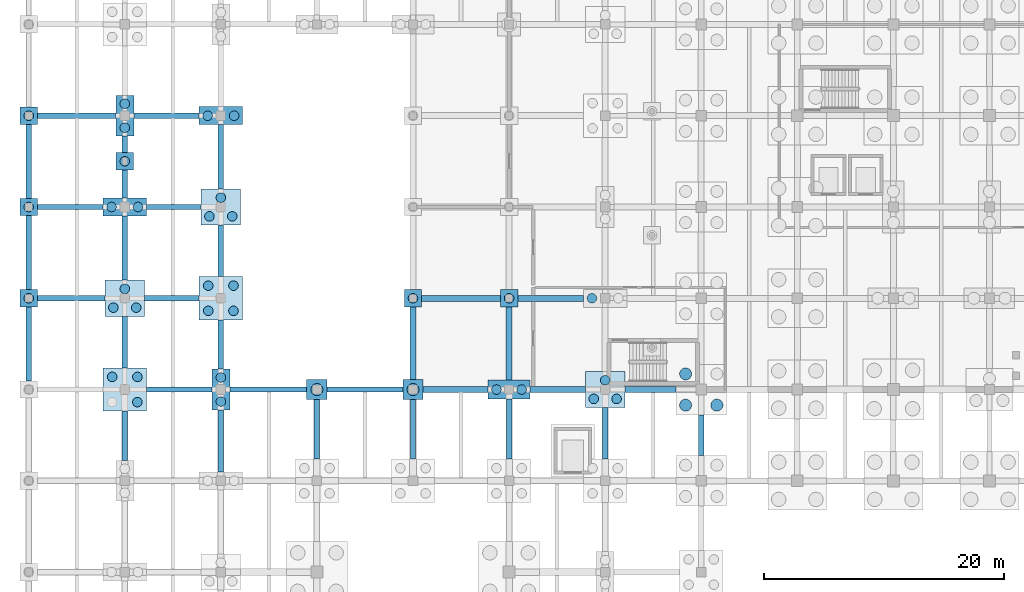
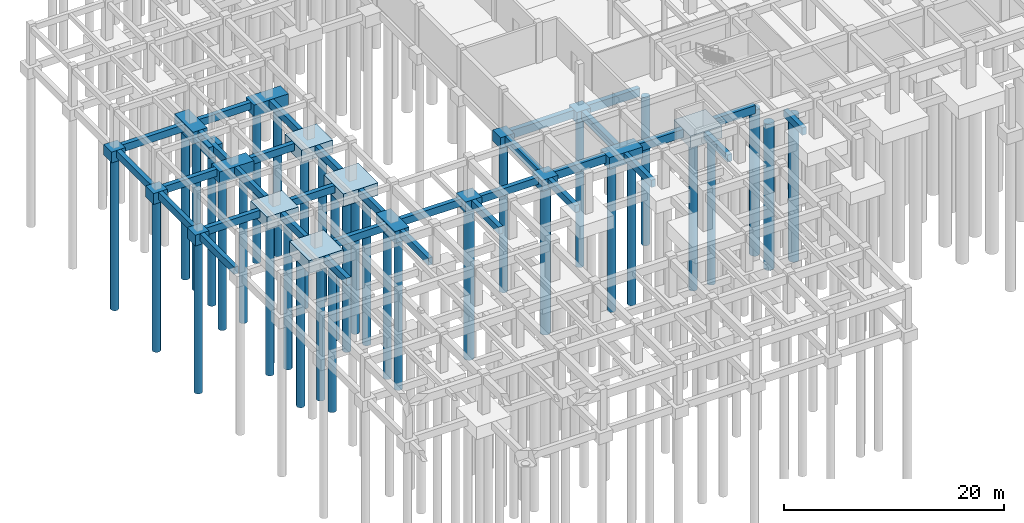
# One storey, part 3 of 49: 50 footings, 38 piles.
"""IFC4 building model written with IfcOpenShell, lengths in metres."""

from ifc_helpers import new_model, si_unit, direction, frame, origin, origin_2d, place, context, subcontext, project, spatial, rectangle, circle, extrude, material, layer, layer_set, material_profile, profile_set, type_object, element, save


model = new_model("IFC4")

# Units and contexts
model_context = context("Model", 3, precision=1e-05, world=origin(), true_north=direction((0.0, 1.0)))
body_context = subcontext(model_context, "Body", "Model", "MODEL_VIEW")
ifc_project = project(units=[si_unit("LENGTHUNIT", "METRE"), si_unit("AREAUNIT", "SQUARE_METRE"), si_unit("VOLUMEUNIT", "CUBIC_METRE"), si_unit("PLANEANGLEUNIT", "RADIAN"), si_unit("MASSUNIT", "GRAM", prefix="KILO")], contexts=[model_context])

# Site, building, storey
site_placement = place(None, origin())
site = spatial("IfcSite", under=ifc_project, at=site_placement, CompositionType="ELEMENT")
building_placement = place(site_placement, origin())
building = spatial("IfcBuilding", under=site, at=building_placement, Name="Zantavel Square City Hall", CompositionType="ELEMENT")
storey_placement = place(building_placement, frame((0.0, 0.0, -4.5)))
storey = spatial("IfcBuildingStorey", under=building, at=storey_placement, Name="B1", CompositionType="ELEMENT", Elevation=-4.5)

# Piles
ifc_material_1 = material(Name="Concrete C35/45", Category="concrete")
ifc_material_profile_1 = material_profile(ifc_material_1, circle(Radius=0.5, at=origin_2d()), Name="PILE D1000")
ifc_profile_set_1 = profile_set([ifc_material_profile_1], Name="Concrete C35/45")
pile_type_1 = type_object("IfcPileType", Name="Bored Pile D1000 Concrete C35/45", PredefinedType="BORED", material=ifc_profile_set_1)
pile_1_placement = place(storey_placement, frame((24.0, 38.0, -1.14990234375), z_axis=(0.0, 0.0, -1.0), x_axis=(1.0, 0.0, 0.0)))
element("IfcPile", 1, at=pile_1_placement, inside=storey, type_object=pile_type_1, Name="Bored Pile FDN-PL-0240-0380-1", PredefinedType="BORED", context=body_context, shape_type="SweptSolid", body=[
    extrude(circle(Radius=0.5, at=origin_2d()), origin(), (0.0, 0.0, 1.0), 16.85009765625),
])
pile_2_placement = place(storey_placement, frame((32.0, 38.0, -1.550048828125), z_axis=(0.0, 0.0, -1.0), x_axis=(1.0, 0.0, 0.0)))
element("IfcPile", 2, at=pile_2_placement, inside=storey, type_object=pile_type_1, Name="Bored Pile FDN-PL-0320-0380-1", PredefinedType="BORED", context=body_context, shape_type="SweptSolid", body=[
    extrude(circle(Radius=0.5, at=origin_2d()), origin(), (0.0, 0.0, 1.0), 16.449951171875),
])
for number, where, z_axis, x_axis, name in (
    (3, (54.699951171875, 36.699951171875, -1.800048828125), (0.0, 0.0, -1.0), (1.0, 0.0, 0.0), "Bored Pile FDN-PL-0560-0380-1"),
    (4, (57.300048828125, 36.699951171875, -1.800048828125), (0.0, 0.0, -1.0), (1.0, 0.0, 0.0), "Bored Pile FDN-PL-0560-0380-2"),
    (5, (54.699951171875, 39.300048828125, -1.800048828125), (0.0, 0.0, -1.0), (1.0, 0.0, 0.0), "Bored Pile FDN-PL-0560-0380-3"),
):
    element("IfcPile", number, at=place(storey_placement, frame(where, z_axis=z_axis, x_axis=x_axis)), inside=storey, type_object=pile_type_1, Name=name, PredefinedType="BORED", context=body_context, shape_type="SweptSolid", body=[
        extrude(circle(Radius=0.5, at=origin_2d()), origin(), (0.0, 0.0, 1.0), 16.199951171875),
    ])
ifc_material_profile_2 = material_profile(ifc_material_1, circle(Radius=0.39990234375, at=origin_2d()), Name="PILE D800")
ifc_profile_set_2 = profile_set([ifc_material_profile_2], Name="Concrete C35/45")
pile_type_2 = type_object("IfcPileType", Name="Bored Pile D800 Concrete C35/45", PredefinedType="BORED", material=ifc_profile_set_2)
for number, where, z_axis, x_axis, name in (
    (6, (0.0, 45.60009765625, -1.10009765625), (0.0, 0.0, -1.0), (1.0, 0.0, 0.0), "Bored Pile FDN-PL-0000-0456-1"),
    (7, (0.0, 53.199951171875, -1.10009765625), (0.0, 0.0, -1.0), (1.0, 0.0, 0.0), "Bored Pile FDN-PL-0000-0532-1"),
    (8, (0.0, 60.800048828125, -1.10009765625), (0.0, 0.0, -1.0), (1.0, 0.0, 0.0), "Bored Pile FDN-PL-0000-0608-1"),
):
    element("IfcPile", number, at=place(storey_placement, frame(where, z_axis=z_axis, x_axis=x_axis)), inside=storey, type_object=pile_type_2, Name=name, PredefinedType="BORED", context=body_context, shape_type="SweptSolid", body=[
        extrude(circle(Radius=0.39990234375, at=origin_2d()), origin(), (0.0, 0.0, 1.0), 16.89990234375),
    ])
for number, where, z_axis, x_axis, name in (
    (9, (9.050048828125, 36.949951171875, -1.300048828125), (0.0, 0.0, -1.0), (1.0, 0.0, 0.0), "Bored Pile FDN-PL-0080-0380-2"),
    (10, (6.949951171875, 39.050048828125, -1.300048828125), (0.0, 0.0, -1.0), (1.0, 0.0, 0.0), "Bored Pile FDN-PL-0080-0380-3"),
    (11, (9.050048828125, 39.050048828125, -1.300048828125), (0.0, 0.0, -1.0), (1.0, 0.0, 0.0), "Bored Pile FDN-PL-0080-0380-4"),
):
    element("IfcPile", number, at=place(storey_placement, frame(where, z_axis=z_axis, x_axis=x_axis)), inside=storey, type_object=pile_type_2, Name=name, PredefinedType="BORED", context=body_context, shape_type="SweptSolid", body=[
        extrude(circle(Radius=0.39990234375, at=origin_2d()), origin(), (0.0, 0.0, 1.0), 16.699951171875),
    ])
for number, where, z_axis, x_axis, name in (
    (12, (7.050048828125, 44.820068359375, -1.25), (0.0, 0.0, -1.0), (1.0, 0.0, 0.0), "Bored Pile FDN-PL-0080-0456-1"),
    (13, (8.949951171875, 44.820068359375, -1.25), (0.0, 0.0, -1.0), (1.0, 0.0, 0.0), "Bored Pile FDN-PL-0080-0456-2"),
    (14, (8.0, 46.3798828125, -1.25), (0.0, 0.0, -1.0), (1.0, 0.0, 0.0), "Bored Pile FDN-PL-0080-0456-3"),
):
    element("IfcPile", number, at=place(storey_placement, frame(where, z_axis=z_axis, x_axis=x_axis)), inside=storey, type_object=pile_type_2, Name=name, PredefinedType="BORED", context=body_context, shape_type="SweptSolid", body=[
        extrude(circle(Radius=0.39990234375, at=origin_2d()), origin(), (0.0, 0.0, 1.0), 16.75),
    ])
for number, where, z_axis, x_axis, name in (
    (15, (6.89990234375, 53.199951171875, -1.199951171875), (0.0, 0.0, -1.0), (1.0, 0.0, 0.0), "Bored Pile FDN-PL-0080-0532-1"),
    (16, (9.10009765625, 53.199951171875, -1.199951171875), (0.0, 0.0, -1.0), (1.0, 0.0, 0.0), "Bored Pile FDN-PL-0080-0532-2"),
    (17, (8.0, 59.800048828125, -1.199951171875), (0.0, 0.0, -1.0), (1.0, 0.0, 0.0), "Bored Pile FDN-PL-0080-0608-1"),
    (18, (8.0, 61.800048828125, -1.199951171875), (0.0, 0.0, -1.0), (1.0, 0.0, 0.0), "Bored Pile FDN-PL-0080-0608-2"),
    (19, (16.0, 37.0, -1.199951171875), (0.0, 0.0, -1.0), (1.0, 0.0, 0.0), "Bored Pile FDN-PL-0160-0380-1"),
    (20, (16.0, 39.0, -1.199951171875), (0.0, 0.0, -1.0), (1.0, 0.0, 0.0), "Bored Pile FDN-PL-0160-0380-2"),
):
    element("IfcPile", number, at=place(storey_placement, frame(where, z_axis=z_axis, x_axis=x_axis)), inside=storey, type_object=pile_type_2, Name=name, PredefinedType="BORED", context=body_context, shape_type="SweptSolid", body=[
        extrude(circle(Radius=0.39990234375, at=origin_2d()), origin(), (0.0, 0.0, 1.0), 16.800048828125),
    ])
for number, where, z_axis, x_axis, name in (
    (21, (14.949951171875, 44.550048828125, -1.300048828125), (0.0, 0.0, -1.0), (1.0, 0.0, 0.0), "Bored Pile FDN-PL-0160-0456-1"),
    (22, (17.050048828125, 44.550048828125, -1.300048828125), (0.0, 0.0, -1.0), (1.0, 0.0, 0.0), "Bored Pile FDN-PL-0160-0456-2"),
    (23, (14.949951171875, 46.64990234375, -1.300048828125), (0.0, 0.0, -1.0), (1.0, 0.0, 0.0), "Bored Pile FDN-PL-0160-0456-3"),
    (24, (17.050048828125, 46.64990234375, -1.300048828125), (0.0, 0.0, -1.0), (1.0, 0.0, 0.0), "Bored Pile FDN-PL-0160-0456-4"),
):
    element("IfcPile", number, at=place(storey_placement, frame(where, z_axis=z_axis, x_axis=x_axis)), inside=storey, type_object=pile_type_2, Name=name, PredefinedType="BORED", context=body_context, shape_type="SweptSolid", body=[
        extrude(circle(Radius=0.39990234375, at=origin_2d()), origin(), (0.0, 0.0, 1.0), 16.699951171875),
    ])
for number, where, z_axis, x_axis, name in (
    (25, (15.050048828125, 52.419921875, -1.25), (0.0, 0.0, -1.0), (1.0, 0.0, 0.0), "Bored Pile FDN-PL-0160-0532-1"),
    (26, (16.949951171875, 52.419921875, -1.25), (0.0, 0.0, -1.0), (1.0, 0.0, 0.0), "Bored Pile FDN-PL-0160-0532-2"),
    (27, (16.0, 53.97998046875, -1.25), (0.0, 0.0, -1.0), (1.0, 0.0, 0.0), "Bored Pile FDN-PL-0160-0532-3"),
):
    element("IfcPile", number, at=place(storey_placement, frame(where, z_axis=z_axis, x_axis=x_axis)), inside=storey, type_object=pile_type_2, Name=name, PredefinedType="BORED", context=body_context, shape_type="SweptSolid", body=[
        extrude(circle(Radius=0.39990234375, at=origin_2d()), origin(), (0.0, 0.0, 1.0), 16.75),
    ])
for number, where, z_axis, x_axis, name in (
    (28, (14.89990234375, 60.800048828125, -1.199951171875), (0.0, 0.0, -1.0), (1.0, 0.0, 0.0), "Bored Pile FDN-PL-0160-0608-1"),
    (29, (17.10009765625, 60.800048828125, -1.199951171875), (0.0, 0.0, -1.0), (1.0, 0.0, 0.0), "Bored Pile FDN-PL-0160-0608-2"),
):
    element("IfcPile", number, at=place(storey_placement, frame(where, z_axis=z_axis, x_axis=x_axis)), inside=storey, type_object=pile_type_2, Name=name, PredefinedType="BORED", context=body_context, shape_type="SweptSolid", body=[
        extrude(circle(Radius=0.39990234375, at=origin_2d()), origin(), (0.0, 0.0, 1.0), 16.800048828125),
    ])
pile_3_placement = place(storey_placement, frame((32.0, 45.60009765625, -1.5), z_axis=(0.0, 0.0, -1.0), x_axis=(1.0, 0.0, 0.0)))
element("IfcPile", 30, at=pile_3_placement, inside=storey, type_object=pile_type_2, Name="Bored Pile FDN-PL-0320-0456-1", PredefinedType="BORED", context=body_context, shape_type="SweptSolid", body=[
    extrude(circle(Radius=0.39990234375, at=origin_2d()), origin(), (0.0, 0.0, 1.0), 16.5),
])
for number, where, z_axis, x_axis, name in (
    (31, (38.949951171875, 38.0, -1.60009765625), (0.0, 0.0, -1.0), (1.0, 0.0, 0.0), "Bored Pile FDN-PL-0400-0380-1"),
    (32, (41.050048828125, 38.0, -1.60009765625), (0.0, 0.0, -1.0), (1.0, 0.0, 0.0), "Bored Pile FDN-PL-0400-0380-2"),
):
    element("IfcPile", number, at=place(storey_placement, frame(where, z_axis=z_axis, x_axis=x_axis)), inside=storey, type_object=pile_type_2, Name=name, PredefinedType="BORED", context=body_context, shape_type="SweptSolid", body=[
        extrude(circle(Radius=0.39990234375, at=origin_2d()), origin(), (0.0, 0.0, 1.0), 16.39990234375),
    ])
pile_4_placement = place(storey_placement, frame((40.0, 45.60009765625, -1.5), z_axis=(0.0, 0.0, -1.0), x_axis=(1.0, 0.0, 0.0)))
element("IfcPile", 33, at=pile_4_placement, inside=storey, type_object=pile_type_2, Name="Bored Pile FDN-PL-0400-0456-1", PredefinedType="BORED", context=body_context, shape_type="SweptSolid", body=[
    extrude(circle(Radius=0.39990234375, at=origin_2d()), origin(), (0.0, 0.0, 1.0), 16.5),
])
for number, where, z_axis, x_axis, name in (
    (34, (47.050048828125, 37.219970703125, -1.64990234375), (0.0, 0.0, -1.0), (1.0, 0.0, 0.0), "Bored Pile FDN-PL-0480-0380-1"),
    (35, (48.949951171875, 37.219970703125, -1.64990234375), (0.0, 0.0, -1.0), (1.0, 0.0, 0.0), "Bored Pile FDN-PL-0480-0380-2"),
    (36, (48.0, 38.780029296875, -1.64990234375), (0.0, 0.0, -1.0), (1.0, 0.0, 0.0), "Bored Pile FDN-PL-0480-0380-3"),
):
    element("IfcPile", number, at=place(storey_placement, frame(where, z_axis=z_axis, x_axis=x_axis)), inside=storey, type_object=pile_type_2, Name=name, PredefinedType="BORED", context=body_context, shape_type="SweptSolid", body=[
        extrude(circle(Radius=0.39990234375, at=origin_2d()), origin(), (0.0, 0.0, 1.0), 16.35009765625),
    ])
pile_5_placement = place(storey_placement, frame((46.89990234375, 45.60009765625, -1.60009765625), z_axis=(0.0, 0.0, -1.0), x_axis=(1.0, 0.0, 0.0)))
element("IfcPile", 37, at=pile_5_placement, inside=storey, type_object=pile_type_2, Name="Bored Pile FDN-PL-0480-0456-1", PredefinedType="BORED", context=body_context, shape_type="SweptSolid", body=[
    extrude(circle(Radius=0.39990234375, at=origin_2d()), origin(), (0.0, 0.0, 1.0), 16.39990234375),
])
pile_6_placement = place(storey_placement, frame((8.0, 57.0, -1.10009765625), z_axis=(0.0, 0.0, -1.0), x_axis=(1.0, 0.0, 0.0)))
element("IfcPile", 38, at=pile_6_placement, inside=storey, type_object=pile_type_2, Name="Pilaster Bored Pile FDN-PLPIL-0080-0570", PredefinedType="BORED", context=body_context, shape_type="SweptSolid", body=[
    extrude(circle(Radius=0.39990234375, at=origin_2d()), origin(), (0.0, 0.0, 1.0), 16.89990234375),
])

# Footings
ifc_material_profile_3 = material_profile(ifc_material_1, rectangle(XDim=0.449951171875, YDim=0.800048828125, at=origin_2d()), Name="RC 450x800")
ifc_profile_set_3 = profile_set([ifc_material_profile_3], Name="Concrete C35/45")
footing_type_1 = type_object("IfcFootingType", Name="Courtyard Grade Tie Beam 450x800 C35/45", PredefinedType="FOOTING_BEAM", material=ifc_profile_set_3)
footing_1_placement = place(storey_placement, frame((0.0, 38.72509765625, -0.39990234375), z_axis=(0.0, 1.0, 0.0), x_axis=(-1.0, 0.0, 0.0)))
element("IfcFooting", 39, at=footing_1_placement, inside=storey, type_object=footing_type_1, Name="Grade Tie Beam FDN-GTBY-0000-0380", PredefinedType="FOOTING_BEAM", context=body_context, shape_type="SweptSolid", body=[
    extrude(rectangle(XDim=0.449951171875, YDim=0.800048828125, at=origin_2d()), origin(), (0.0, 0.0, 1.0), 6.14990234375),
])
footing_2_placement = place(storey_placement, frame((0.72509765625, 45.60009765625, -0.39990234375), z_axis=(1.0, 0.0, 0.0), x_axis=(0.0, 1.0, 0.0)))
element("IfcFooting", 40, at=footing_2_placement, inside=storey, type_object=footing_type_1, Name="Grade Tie Beam FDN-GTBX-0000-0456", PredefinedType="FOOTING_BEAM", context=body_context, shape_type="SweptSolid", body=[
    extrude(rectangle(XDim=0.449951171875, YDim=0.800048828125, at=origin_2d()), origin(), (0.0, 0.0, 1.0), 5.625),
])
footing_3_placement = place(storey_placement, frame((0.0, 46.324951171875, -0.39990234375), z_axis=(0.0, 1.0, 0.0), x_axis=(-1.0, 0.0, 0.0)))
element("IfcFooting", 41, at=footing_3_placement, inside=storey, type_object=footing_type_1, Name="Grade Tie Beam FDN-GTBY-0000-0456", PredefinedType="FOOTING_BEAM", context=body_context, shape_type="SweptSolid", body=[
    extrude(rectangle(XDim=0.449951171875, YDim=0.800048828125, at=origin_2d()), origin(), (0.0, 0.0, 1.0), 6.150146484375),
])
footing_4_placement = place(storey_placement, frame((0.72509765625, 53.199951171875, -0.39990234375), z_axis=(1.0, 0.0, 0.0), x_axis=(0.0, 1.0, 0.0)))
element("IfcFooting", 42, at=footing_4_placement, inside=storey, type_object=footing_type_1, Name="Grade Tie Beam FDN-GTBX-0000-0532", PredefinedType="FOOTING_BEAM", context=body_context, shape_type="SweptSolid", body=[
    extrude(rectangle(XDim=0.449951171875, YDim=0.800048828125, at=origin_2d()), origin(), (0.0, 0.0, 1.0), 5.474853515625),
])
footing_5_placement = place(storey_placement, frame((0.0, 53.925048828125, -0.39990234375), z_axis=(0.0, 1.0, 0.0), x_axis=(-1.0, 0.0, 0.0)))
element("IfcFooting", 43, at=footing_5_placement, inside=storey, type_object=footing_type_1, Name="Grade Tie Beam FDN-GTBY-0000-0532", PredefinedType="FOOTING_BEAM", context=body_context, shape_type="SweptSolid", body=[
    extrude(rectangle(XDim=0.449951171875, YDim=0.800048828125, at=origin_2d()), origin(), (0.0, 0.0, 1.0), 6.14990234375),
])
footing_6_placement = place(storey_placement, frame((0.72509765625, 60.800048828125, -0.39990234375), z_axis=(1.0, 0.0, 0.0), x_axis=(0.0, 1.0, 0.0)))
element("IfcFooting", 44, at=footing_6_placement, inside=storey, type_object=footing_type_1, Name="Grade Tie Beam FDN-GTBX-0000-0608", PredefinedType="FOOTING_BEAM", context=body_context, shape_type="SweptSolid", body=[
    extrude(rectangle(XDim=0.449951171875, YDim=0.800048828125, at=origin_2d()), origin(), (0.0, 0.0, 1.0), 6.52490234375),
])
footing_7_placement = place(storey_placement, frame((8.0, 32.10009765625, -0.39990234375), z_axis=(0.0, 1.0, 0.0), x_axis=(-1.0, 0.0, 0.0)))
element("IfcFooting", 45, at=footing_7_placement, inside=storey, type_object=footing_type_1, Name="Grade Tie Beam FDN-GTBY-0080-0304", PredefinedType="FOOTING_BEAM", context=body_context, shape_type="SweptSolid", body=[
    extrude(rectangle(XDim=0.449951171875, YDim=0.800048828125, at=origin_2d()), origin(), (0.0, 0.0, 1.0), 4.099853515625),
])
footing_8_placement = place(storey_placement, frame((9.800048828125, 38.0, -0.39990234375), z_axis=(1.0, 0.0, 0.0), x_axis=(0.0, 1.0, 0.0)))
element("IfcFooting", 46, at=footing_8_placement, inside=storey, type_object=footing_type_1, Name="Grade Tie Beam FDN-GTBX-0080-0380", PredefinedType="FOOTING_BEAM", context=body_context, shape_type="SweptSolid", body=[
    extrude(rectangle(XDim=0.449951171875, YDim=0.800048828125, at=origin_2d()), origin(), (0.0, 0.0, 1.0), 5.449951171875),
])
footing_9_placement = place(storey_placement, frame((8.0, 39.800048828125, -0.39990234375), z_axis=(0.0, 1.0, 0.0), x_axis=(-1.0, 0.0, 0.0)))
element("IfcFooting", 47, at=footing_9_placement, inside=storey, type_object=footing_type_1, Name="Grade Tie Beam FDN-GTBY-0080-0380", PredefinedType="FOOTING_BEAM", context=body_context, shape_type="SweptSolid", body=[
    extrude(rectangle(XDim=0.449951171875, YDim=0.800048828125, at=origin_2d()), origin(), (0.0, 0.0, 1.0), 4.300048828125),
])
footing_10_placement = place(storey_placement, frame((9.64990234375, 45.60009765625, -0.39990234375), z_axis=(1.0, 0.0, 0.0), x_axis=(0.0, 1.0, 0.0)))
element("IfcFooting", 48, at=footing_10_placement, inside=storey, type_object=footing_type_1, Name="Grade Tie Beam FDN-GTBX-0080-0456", PredefinedType="FOOTING_BEAM", context=body_context, shape_type="SweptSolid", body=[
    extrude(rectangle(XDim=0.449951171875, YDim=0.800048828125, at=origin_2d()), origin(), (0.0, 0.0, 1.0), 4.550048828125),
])
footing_11_placement = place(storey_placement, frame((8.0, 47.10009765625, -0.39990234375), z_axis=(0.0, 1.0, 0.0), x_axis=(-1.0, 0.0, 0.0)))
element("IfcFooting", 49, at=footing_11_placement, inside=storey, type_object=footing_type_1, Name="Grade Tie Beam FDN-GTBY-0080-0456", PredefinedType="FOOTING_BEAM", context=body_context, shape_type="SweptSolid", body=[
    extrude(rectangle(XDim=0.449951171875, YDim=0.800048828125, at=origin_2d()), origin(), (0.0, 0.0, 1.0), 5.349853515625),
])
footing_12_placement = place(storey_placement, frame((9.800048828125, 53.199951171875, -0.39990234375), z_axis=(1.0, 0.0, 0.0), x_axis=(0.0, 1.0, 0.0)))
element("IfcFooting", 50, at=footing_12_placement, inside=storey, type_object=footing_type_1, Name="Grade Tie Beam FDN-GTBX-0080-0532", PredefinedType="FOOTING_BEAM", context=body_context, shape_type="SweptSolid", body=[
    extrude(rectangle(XDim=0.449951171875, YDim=0.800048828125, at=origin_2d()), origin(), (0.0, 0.0, 1.0), 4.550048828125),
])
footing_13_placement = place(storey_placement, frame((8.0, 53.949951171875, -0.39990234375), z_axis=(0.0, 1.0, 0.0), x_axis=(-1.0, 0.0, 0.0)))
element("IfcFooting", 51, at=footing_13_placement, inside=storey, type_object=footing_type_1, Name="Grade Tie Beam FDN-GTBY-0080-0532", PredefinedType="FOOTING_BEAM", context=body_context, shape_type="SweptSolid", body=[
    extrude(rectangle(XDim=0.449951171875, YDim=0.800048828125, at=origin_2d()), origin(), (0.0, 0.0, 1.0), 5.150146484375),
])
footing_14_placement = place(storey_placement, frame((8.75, 60.800048828125, -0.39990234375), z_axis=(1.0, 0.0, 0.0), x_axis=(0.0, 1.0, 0.0)))
element("IfcFooting", 52, at=footing_14_placement, inside=storey, type_object=footing_type_1, Name="Grade Tie Beam FDN-GTBX-0080-0608", PredefinedType="FOOTING_BEAM", context=body_context, shape_type="SweptSolid", body=[
    extrude(rectangle(XDim=0.449951171875, YDim=0.800048828125, at=origin_2d()), origin(), (0.0, 0.0, 1.0), 5.449951171875),
])
footing_15_placement = place(storey_placement, frame((16.0, 31.14990234375, -0.39990234375), z_axis=(0.0, 1.0, 0.0), x_axis=(-1.0, 0.0, 0.0)))
element("IfcFooting", 53, at=footing_15_placement, inside=storey, type_object=footing_type_1, Name="Grade Tie Beam FDN-GTBY-0160-0304", PredefinedType="FOOTING_BEAM", context=body_context, shape_type="SweptSolid", body=[
    extrude(rectangle(XDim=0.449951171875, YDim=0.800048828125, at=origin_2d()), origin(), (0.0, 0.0, 1.0), 5.150146484375),
])
footing_16_placement = place(storey_placement, frame((16.75, 38.0, -0.39990234375), z_axis=(1.0, 0.0, 0.0), x_axis=(0.0, 1.0, 0.0)))
element("IfcFooting", 54, at=footing_16_placement, inside=storey, type_object=footing_type_1, Name="Grade Tie Beam FDN-GTBX-0160-0380", PredefinedType="FOOTING_BEAM", context=body_context, shape_type="SweptSolid", body=[
    extrude(rectangle(XDim=0.449951171875, YDim=0.800048828125, at=origin_2d()), origin(), (0.0, 0.0, 1.0), 6.39990234375),
])
footing_17_placement = place(storey_placement, frame((16.0, 39.699951171875, -0.39990234375), z_axis=(0.0, 1.0, 0.0), x_axis=(-1.0, 0.0, 0.0)))
element("IfcFooting", 55, at=footing_17_placement, inside=storey, type_object=footing_type_1, Name="Grade Tie Beam FDN-GTBY-0160-0380", PredefinedType="FOOTING_BEAM", context=body_context, shape_type="SweptSolid", body=[
    extrude(rectangle(XDim=0.449951171875, YDim=0.800048828125, at=origin_2d()), origin(), (0.0, 0.0, 1.0), 4.10009765625),
])
footing_18_placement = place(storey_placement, frame((16.0, 47.39990234375, -0.39990234375), z_axis=(0.0, 1.0, 0.0), x_axis=(-1.0, 0.0, 0.0)))
element("IfcFooting", 56, at=footing_18_placement, inside=storey, type_object=footing_type_1, Name="Grade Tie Beam FDN-GTBY-0160-0456", PredefinedType="FOOTING_BEAM", context=body_context, shape_type="SweptSolid", body=[
    extrude(rectangle(XDim=0.449951171875, YDim=0.800048828125, at=origin_2d()), origin(), (0.0, 0.0, 1.0), 4.300048828125),
])
footing_19_placement = place(storey_placement, frame((16.0, 54.699951171875, -0.39990234375), z_axis=(0.0, 1.0, 0.0), x_axis=(-1.0, 0.0, 0.0)))
element("IfcFooting", 57, at=footing_19_placement, inside=storey, type_object=footing_type_1, Name="Grade Tie Beam FDN-GTBY-0160-0532", PredefinedType="FOOTING_BEAM", context=body_context, shape_type="SweptSolid", body=[
    extrude(rectangle(XDim=0.449951171875, YDim=0.800048828125, at=origin_2d()), origin(), (0.0, 0.0, 1.0), 5.35009765625),
])
footing_20_placement = place(storey_placement, frame((24.0, 32.199951171875, -0.39990234375), z_axis=(0.0, 1.0, 0.0), x_axis=(-1.0, 0.0, 0.0)))
element("IfcFooting", 58, at=footing_20_placement, inside=storey, type_object=footing_type_1, Name="Grade Tie Beam FDN-GTBY-0240-0304", PredefinedType="FOOTING_BEAM", context=body_context, shape_type="SweptSolid", body=[
    extrude(rectangle(XDim=0.449951171875, YDim=0.800048828125, at=origin_2d()), origin(), (0.0, 0.0, 1.0), 4.949951171875),
])
footing_21_placement = place(storey_placement, frame((24.85009765625, 38.0, -0.800048828125), z_axis=(1.0, 0.0, 0.0), x_axis=(0.0, 1.0, 0.0)))
element("IfcFooting", 59, at=footing_21_placement, inside=storey, type_object=footing_type_1, Name="Grade Tie Beam FDN-GTBX-0240-0380", PredefinedType="FOOTING_BEAM", context=body_context, shape_type="SweptSolid", body=[
    extrude(rectangle(XDim=0.449951171875, YDim=0.800048828125, at=origin_2d()), origin(), (0.0, 0.0, 1.0), 6.2998046875),
])
footing_22_placement = place(storey_placement, frame((32.0, 32.199951171875, -0.800048828125), z_axis=(0.0, 1.0, 0.0), x_axis=(-1.0, 0.0, 0.0)))
element("IfcFooting", 60, at=footing_22_placement, inside=storey, type_object=footing_type_1, Name="Grade Tie Beam FDN-GTBY-0320-0304", PredefinedType="FOOTING_BEAM", context=body_context, shape_type="SweptSolid", body=[
    extrude(rectangle(XDim=0.449951171875, YDim=0.800048828125, at=origin_2d()), origin(), (0.0, 0.0, 1.0), 4.949951171875),
])
footing_23_placement = place(storey_placement, frame((40.0, 32.199951171875, -0.800048828125), z_axis=(0.0, 1.0, 0.0), x_axis=(-1.0, 0.0, 0.0)))
element("IfcFooting", 61, at=footing_23_placement, inside=storey, type_object=footing_type_1, Name="Grade Tie Beam FDN-GTBY-0400-0304", PredefinedType="FOOTING_BEAM", context=body_context, shape_type="SweptSolid", body=[
    extrude(rectangle(XDim=0.449951171875, YDim=0.800048828125, at=origin_2d()), origin(), (0.0, 0.0, 1.0), 5.0),
])
footing_24_placement = place(storey_placement, frame((48.0, 32.199951171875, -0.800048828125), z_axis=(0.0, 1.0, 0.0), x_axis=(-1.0, 0.0, 0.0)))
element("IfcFooting", 62, at=footing_24_placement, inside=storey, type_object=footing_type_1, Name="Grade Tie Beam FDN-GTBY-0480-0304", PredefinedType="FOOTING_BEAM", context=body_context, shape_type="SweptSolid", body=[
    extrude(rectangle(XDim=0.449951171875, YDim=0.800048828125, at=origin_2d()), origin(), (0.0, 0.0, 1.0), 4.300048828125),
])
footing_25_placement = place(storey_placement, frame((56.0, 32.5, -0.800048828125), z_axis=(0.0, 1.0, 0.0), x_axis=(-1.0, 0.0, 0.0)))
element("IfcFooting", 63, at=footing_25_placement, inside=storey, type_object=footing_type_1, Name="Grade Tie Beam FDN-GTBY-0560-0304", PredefinedType="FOOTING_BEAM", context=body_context, shape_type="SweptSolid", body=[
    extrude(rectangle(XDim=0.449951171875, YDim=0.800048828125, at=origin_2d()), origin(), (0.0, 0.0, 1.0), 3.39990234375),
])
ifc_material_profile_4 = material_profile(ifc_material_1, rectangle(XDim=0.5, YDim=0.89990234375, at=origin_2d()), Name="RC 500x900")
ifc_profile_set_4 = profile_set([ifc_material_profile_4], Name="Concrete C35/45")
footing_type_2 = type_object("IfcFootingType", Name="Grade Tie Beam 500x900 Concrete C35/45", PredefinedType="FOOTING_BEAM", material=ifc_profile_set_4)
footing_26_placement = place(storey_placement, frame((32.85009765625, 38.0, -0.85009765625), z_axis=(1.0, 0.0, 0.0), x_axis=(0.0, 1.0, 0.0)))
element("IfcFooting", 64, at=footing_26_placement, inside=storey, type_object=footing_type_2, Name="Grade Tie Beam FDN-GTBX-0320-0380", PredefinedType="FOOTING_BEAM", context=body_context, shape_type="SweptSolid", body=[
    extrude(rectangle(XDim=0.5, YDim=0.89990234375, at=origin_2d()), origin(), (0.0, 0.0, 1.0), 5.39990234375),
])
footing_27_placement = place(storey_placement, frame((32.0, 38.85009765625, -0.85009765625), z_axis=(0.0, 1.0, 0.0), x_axis=(-1.0, 0.0, 0.0)))
element("IfcFooting", 65, at=footing_27_placement, inside=storey, type_object=footing_type_2, Name="Grade Tie Beam FDN-GTBY-0320-0380", PredefinedType="FOOTING_BEAM", context=body_context, shape_type="SweptSolid", body=[
    extrude(rectangle(XDim=0.5, YDim=0.89990234375, at=origin_2d()), origin(), (0.0, 0.0, 1.0), 6.02490234375),
])
footing_28_placement = place(storey_placement, frame((32.72509765625, 45.60009765625, -0.85009765625), z_axis=(1.0, 0.0, 0.0), x_axis=(0.0, 1.0, 0.0)))
element("IfcFooting", 66, at=footing_28_placement, inside=storey, type_object=footing_type_2, Name="Grade Tie Beam FDN-GTBX-0320-0456", PredefinedType="FOOTING_BEAM", context=body_context, shape_type="SweptSolid", body=[
    extrude(rectangle(XDim=0.5, YDim=0.89990234375, at=origin_2d()), origin(), (0.0, 0.0, 1.0), 6.5498046875),
])
footing_29_placement = place(storey_placement, frame((41.75, 38.0, -0.85009765625), z_axis=(1.0, 0.0, 0.0), x_axis=(0.0, 1.0, 0.0)))
element("IfcFooting", 67, at=footing_29_placement, inside=storey, type_object=footing_type_2, Name="Grade Tie Beam FDN-GTBX-0400-0380", PredefinedType="FOOTING_BEAM", context=body_context, shape_type="SweptSolid", body=[
    extrude(rectangle(XDim=0.5, YDim=0.89990234375, at=origin_2d()), origin(), (0.0, 0.0, 1.0), 4.60009765625),
])
footing_30_placement = place(storey_placement, frame((40.0, 38.800048828125, -0.85009765625), z_axis=(0.0, 1.0, 0.0), x_axis=(-1.0, 0.0, 0.0)))
element("IfcFooting", 68, at=footing_30_placement, inside=storey, type_object=footing_type_2, Name="Grade Tie Beam FDN-GTBY-0400-0380", PredefinedType="FOOTING_BEAM", context=body_context, shape_type="SweptSolid", body=[
    extrude(rectangle(XDim=0.5, YDim=0.89990234375, at=origin_2d()), origin(), (0.0, 0.0, 1.0), 6.074951171875),
])
footing_31_placement = place(storey_placement, frame((40.72509765625, 45.60009765625, -0.85009765625), z_axis=(1.0, 0.0, 0.0), x_axis=(0.0, 1.0, 0.0)))
element("IfcFooting", 69, at=footing_31_placement, inside=storey, type_object=footing_type_2, Name="Grade Tie Beam FDN-GTBX-0400-0456", PredefinedType="FOOTING_BEAM", context=body_context, shape_type="SweptSolid", body=[
    extrude(rectangle(XDim=0.5, YDim=0.89990234375, at=origin_2d()), origin(), (0.0, 0.0, 1.0), 5.474853515625),
])
footing_32_placement = place(storey_placement, frame((49.64990234375, 38.0, -0.85009765625), z_axis=(1.0, 0.0, 0.0), x_axis=(0.0, 1.0, 0.0)))
element("IfcFooting", 70, at=footing_32_placement, inside=storey, type_object=footing_type_2, Name="Grade Tie Beam FDN-GTBX-0480-0380", PredefinedType="FOOTING_BEAM", context=body_context, shape_type="SweptSolid", body=[
    extrude(rectangle(XDim=0.5, YDim=0.89990234375, at=origin_2d()), origin(), (0.0, 0.0, 1.0), 4.25),
])
ifc_material_2 = material(Name="Concrete C40/50", Category="concrete")
ifc_layer_1 = layer(ifc_material_2, 1.25, Name="Concrete C40/50")
ifc_layer_set_1 = layer_set([ifc_layer_1], Name="Concrete C40/50")
footing_type_3 = type_object("IfcFootingType", Name="Pile Cap 1P-D1000 1700x1700x1250", PredefinedType="PILE_CAP", material=ifc_layer_set_1)
for number, where, z_axis, x_axis, name in (
    (71, (24.0, 38.0, -1.25), (0.0, 0.0, 1.0), (1.0, 0.0, 0.0), "Pile Cap FDN-PC-0240-0380"),
    (72, (32.0, 38.0, -1.64990234375), (0.0, 0.0, 1.0), (1.0, 0.0, 0.0), "Pile Cap FDN-PC-0320-0380"),
):
    element("IfcFooting", number, at=place(storey_placement, frame(where, z_axis=z_axis, x_axis=x_axis)), inside=storey, type_object=footing_type_3, Name=name, PredefinedType="PILE_CAP", context=body_context, shape_type="SweptSolid", body=[
        extrude(rectangle(XDim=1.699951171875, YDim=1.699951171875, at=origin_2d()), origin(), (0.0, 0.0, 1.0), 1.25),
    ])
ifc_layer_2 = layer(ifc_material_2, 1.199951171875, Name="Concrete C40/50")
ifc_layer_set_2 = layer_set([ifc_layer_2], Name="Concrete C40/50")
footing_type_4 = type_object("IfcFootingType", Name="Pile Cap 1P-D800 1450x1450x1200", PredefinedType="PILE_CAP", material=ifc_layer_set_2)
for number, where, z_axis, x_axis, name in (
    (73, (0.0, 45.60009765625, -1.2001953125), (0.0, 0.0, 1.0), (1.0, 0.0, 0.0), "Pile Cap FDN-PC-0000-0456"),
    (74, (0.0, 53.199951171875, -1.2001953125), (0.0, 0.0, 1.0), (1.0, 0.0, 0.0), "Pile Cap FDN-PC-0000-0532"),
    (75, (0.0, 60.800048828125, -1.2001953125), (0.0, 0.0, 1.0), (1.0, 0.0, 0.0), "Pile Cap FDN-PC-0000-0608"),
    (76, (32.0, 45.60009765625, -1.60009765625), (0.0, 0.0, 1.0), (1.0, 0.0, 0.0), "Pile Cap FDN-PC-0320-0456"),
    (77, (40.0, 45.60009765625, -1.60009765625), (0.0, 0.0, 1.0), (1.0, 0.0, 0.0), "Pile Cap FDN-PC-0400-0456"),
    (78, (8.0, 57.0, -1.2001953125), (0.0, 0.0, 1.0), (1.0, 0.0, 0.0), "Pilaster Pile Cap FDN-PCPIL-0080-0570"),
):
    element("IfcFooting", number, at=place(storey_placement, frame(where, z_axis=z_axis, x_axis=x_axis)), inside=storey, type_object=footing_type_4, Name=name, PredefinedType="PILE_CAP", context=body_context, shape_type="SweptSolid", body=[
        extrude(rectangle(XDim=1.449951171875, YDim=1.449951171875, at=origin_2d()), origin(), (0.0, 0.0, 1.0), 1.199951171875),
    ])
ifc_layer_3 = layer(ifc_material_2, 1.300048828125, Name="Concrete C40/50")
ifc_layer_set_3 = layer_set([ifc_layer_3], Name="Concrete C40/50")
footing_type_5 = type_object("IfcFootingType", Name="Pile Cap 2P-D800C 3500x1600x1300", PredefinedType="PILE_CAP", material=ifc_layer_set_3)
footing_33_placement = place(storey_placement, frame((40.0, 38.0, -1.7001953125), z_axis=(0.0, 0.0, 1.0), x_axis=(1.0, 0.0, 0.0)))
element("IfcFooting", 79, at=footing_33_placement, inside=storey, type_object=footing_type_5, Name="Pile Cap FDN-PC-0400-0380", PredefinedType="PILE_CAP", context=body_context, shape_type="SweptSolid", body=[
    extrude(rectangle(XDim=3.5, YDim=1.60009765625, at=origin_2d()), origin(), (0.0, 0.0, 1.0), 1.300048828125),
])
ifc_layer_4 = layer(ifc_material_2, 1.300048828125, Name="Concrete C40/50")
ifc_layer_set_4 = layer_set([ifc_layer_4], Name="Concrete C40/50")
footing_type_6 = type_object("IfcFootingType", Name="Pile Cap 2P-D800X 3600x1500x1300", PredefinedType="PILE_CAP", material=ifc_layer_set_4)
for number, where, z_axis, x_axis, name in (
    (80, (8.0, 53.199951171875, -1.2998046875), (0.0, 0.0, 1.0), (1.0, 0.0, 0.0), "Pile Cap FDN-PC-0080-0532"),
    (81, (16.0, 60.800048828125, -1.2998046875), (0.0, 0.0, 1.0), (1.0, 0.0, 0.0), "Pile Cap FDN-PC-0160-0608"),
):
    element("IfcFooting", number, at=place(storey_placement, frame(where, z_axis=z_axis, x_axis=x_axis)), inside=storey, type_object=footing_type_6, Name=name, PredefinedType="PILE_CAP", context=body_context, shape_type="SweptSolid", body=[
        extrude(rectangle(XDim=3.60009765625, YDim=1.5, at=origin_2d()), origin(), (0.0, 0.0, 1.0), 1.300048828125),
    ])
ifc_layer_5 = layer(ifc_material_2, 1.300048828125, Name="Concrete C40/50")
ifc_layer_set_5 = layer_set([ifc_layer_5], Name="Concrete C40/50")
footing_type_7 = type_object("IfcFootingType", Name="Pile Cap 2P-D800Y 1500x3400x1300", PredefinedType="PILE_CAP", material=ifc_layer_set_5)
for number, where, z_axis, x_axis, name in (
    (82, (8.0, 60.800048828125, -1.2998046875), (0.0, 0.0, 1.0), (1.0, 0.0, 0.0), "Pile Cap FDN-PC-0080-0608"),
    (83, (16.0, 38.0, -1.2998046875), (0.0, 0.0, 1.0), (1.0, 0.0, 0.0), "Pile Cap FDN-PC-0160-0380"),
):
    element("IfcFooting", number, at=place(storey_placement, frame(where, z_axis=z_axis, x_axis=x_axis)), inside=storey, type_object=footing_type_7, Name=name, PredefinedType="PILE_CAP", context=body_context, shape_type="SweptSolid", body=[
        extrude(rectangle(XDim=1.5, YDim=3.39990234375, at=origin_2d()), origin(), (0.0, 0.0, 1.0), 1.300048828125),
    ])
ifc_layer_6 = layer(ifc_material_2, 1.35009765625, Name="Concrete C40/50")
ifc_layer_set_6 = layer_set([ifc_layer_6], Name="Concrete C40/50")
footing_type_8 = type_object("IfcFootingType", Name="Pile Cap 3P-D800 3300x3000x1350", PredefinedType="PILE_CAP", material=ifc_layer_set_6)
for number, where, z_axis, x_axis, name in (
    (84, (8.0, 45.60009765625, -1.35009765625), (0.0, 0.0, 1.0), (1.0, 0.0, 0.0), "Pile Cap FDN-PC-0080-0456"),
    (85, (16.0, 53.199951171875, -1.35009765625), (0.0, 0.0, 1.0), (1.0, 0.0, 0.0), "Pile Cap FDN-PC-0160-0532"),
    (86, (48.0, 38.0, -1.75), (0.0, 0.0, 1.0), (1.0, 0.0, 0.0), "Pile Cap FDN-PC-0480-0380"),
):
    element("IfcFooting", number, at=place(storey_placement, frame(where, z_axis=z_axis, x_axis=x_axis)), inside=storey, type_object=footing_type_8, Name=name, PredefinedType="PILE_CAP", context=body_context, shape_type="SweptSolid", body=[
        extrude(rectangle(XDim=3.300048828125, YDim=3.0, at=origin_2d()), origin(), (0.0, 0.0, 1.0), 1.35009765625),
    ])
ifc_layer_7 = layer(ifc_material_2, 1.39990234375, Name="Concrete C40/50")
ifc_layer_set_7 = layer_set([ifc_layer_7], Name="Concrete C40/50")
footing_type_9 = type_object("IfcFootingType", Name="Pile Cap 4P-D800 3600x3600x1400", PredefinedType="PILE_CAP", material=ifc_layer_set_7)
for number, where, z_axis, x_axis, name in (
    (87, (8.0, 38.0, -1.39990234375), (0.0, 0.0, 1.0), (1.0, 0.0, 0.0), "Pile Cap FDN-PC-0080-0380"),
    (88, (16.0, 45.60009765625, -1.39990234375), (0.0, 0.0, 1.0), (1.0, 0.0, 0.0), "Pile Cap FDN-PC-0160-0456"),
):
    element("IfcFooting", number, at=place(storey_placement, frame(where, z_axis=z_axis, x_axis=x_axis)), inside=storey, type_object=footing_type_9, Name=name, PredefinedType="PILE_CAP", context=body_context, shape_type="SweptSolid", body=[
        extrude(rectangle(XDim=3.60009765625, YDim=3.60009765625, at=origin_2d()), origin(), (0.0, 0.0, 1.0), 1.39990234375),
    ])

save(model, "model.ifc")
